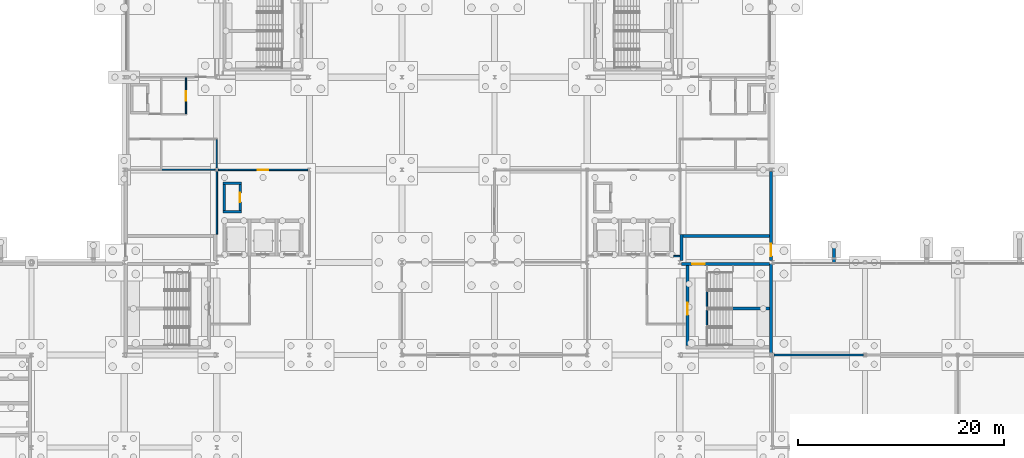
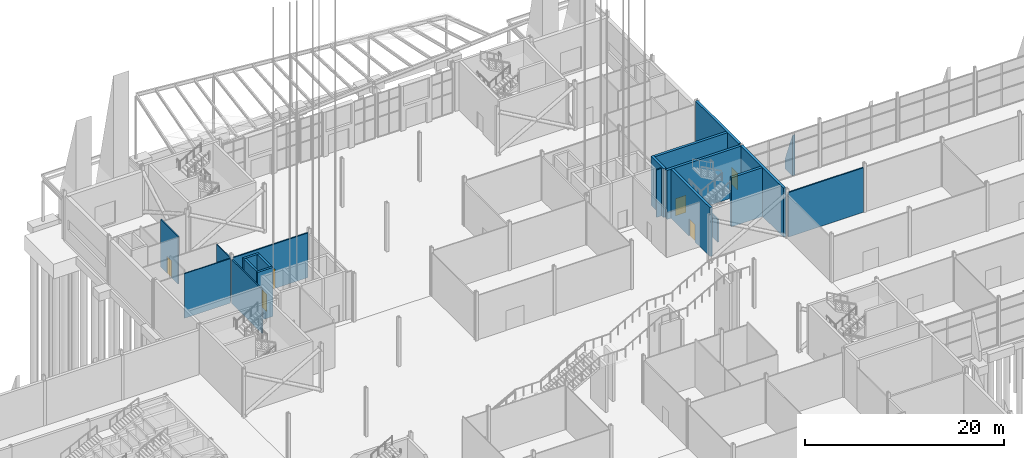
# One storey, part 109 of 139: 20 walls, 6 doors, 6 openings.
"""IFC4 building model written with IfcOpenShell, lengths in metres."""

import ifcopenshell
import ifcopenshell.guid

model = None  # the IFC model being written
_history = None  # IfcOwnerHistory: only IFC2X3 demands one
_inside = {}  # id of a spatial element -> (the spatial element, [elements in it])
_under = {}  # id of a project, library or spatial element -> (it, [spatial elements below it])
_declared = {}  # id of a project -> (the project, [libraries it declares])
_typed = {}  # id of a type object -> (the type object, [elements of that type])
_made_of = {}  # id of a material, layer set ... -> (it, [elements and type objects made of it])


def new_model(schema):
    """Start an empty IFC model of exactly this schema.

    Asked for "IFC4X3", IfcOpenShell would pick the latest addendum, in which some entities
    have other attributes; the version numbers below select the first issue.
    IFC2X3 requires an IfcOwnerHistory on every rooted entity: one is made here for all.
    """
    global model, _history
    if schema == "IFC4X3":
        model = ifcopenshell.file(schema_version=(4, 3, 0, 0))
    else:
        model = ifcopenshell.file(schema=schema)
    _inside.clear()
    _under.clear()
    _declared.clear()
    _typed.clear()
    _made_of.clear()
    _history = None
    if model.schema == "IFC2X3":
        org = make("IfcOrganization", Name="unknown")
        user = make(
            "IfcPersonAndOrganization",
            ThePerson=make("IfcPerson", FamilyName="unknown"),
            TheOrganization=org,
        )
        app = make(
            "IfcApplication",
            ApplicationDeveloper=org,
            Version="unknown",
            ApplicationFullName="unknown",
            ApplicationIdentifier="unknown",
        )
        _history = make(
            "IfcOwnerHistory",
            OwningUser=user,
            OwningApplication=app,
            ChangeAction="ADDED",
            CreationDate=0,
        )
    return model


def make(cls, **values):
    """One entity of the class cls with the attributes given. An attribute that is None is left unset."""
    return model.create_entity(
        cls, **{name: value for name, value in values.items() if value is not None}
    )


def rooted(cls, **values):
    """An entity with a GlobalId (a new one), such as an element, a storey or a relation."""
    return make(cls, GlobalId=ifcopenshell.guid.new(), OwnerHistory=_history, **values)


def si_unit(unit_type, name, prefix=None):
    """IfcSIUnit, for example si_unit("LENGTHUNIT", "METRE", prefix="MILLI")."""
    return make("IfcSIUnit", UnitType=unit_type, Prefix=prefix, Name=name)


def assignment(units):
    """IfcUnitAssignment: the units of a project."""
    return None if units is None else make("IfcUnitAssignment", Units=units)


def point(xyz):
    """IfcCartesianPoint."""
    return None if xyz is None else make("IfcCartesianPoint", Coordinates=xyz)


def direction(xyz):
    """IfcDirection."""
    return None if xyz is None else make("IfcDirection", DirectionRatios=xyz)


def frame(location, z_axis=None, x_axis=None):
    """IfcAxis2Placement3D, a coordinate frame: its origin and axes. An axis left out is left unset."""
    return make(
        "IfcAxis2Placement3D",
        Location=point(location),
        Axis=direction(z_axis),
        RefDirection=direction(x_axis),
    )


def frame_2d(location, x_axis=None):
    """IfcAxis2Placement2D, a coordinate frame in the plane: its origin and x axis."""
    return make(
        "IfcAxis2Placement2D", Location=point(location), RefDirection=direction(x_axis)
    )


def origin():
    """The frame at (0, 0, 0) with its axes left unset."""
    return frame((0.0, 0.0, 0.0))


def place(relative_to, where):
    """IfcLocalPlacement: puts the frame where relative to a parent placement (None: the world)."""
    return make(
        "IfcLocalPlacement", PlacementRelTo=relative_to, RelativePlacement=where
    )


def context(
    kind, dimensions, precision=None, world=None, true_north=None, identifier=None
):
    """IfcGeometricRepresentationContext, for example the 3D "Model" context."""
    return make(
        "IfcGeometricRepresentationContext",
        ContextIdentifier=identifier,
        ContextType=kind,
        CoordinateSpaceDimension=dimensions,
        Precision=precision,
        WorldCoordinateSystem=world,
        TrueNorth=true_north,
    )


def subcontext(parent, identifier, kind, view, scale=None):
    """IfcGeometricRepresentationSubContext, for example "Body" below "Model"."""
    return make(
        "IfcGeometricRepresentationSubContext",
        ContextIdentifier=identifier,
        ContextType=kind,
        ParentContext=parent,
        TargetScale=scale,
        TargetView=view,
    )


def project(units=None, contexts=None):
    """IfcProject with its units and contexts."""
    return rooted(
        "IfcProject",
        Name="project",
        RepresentationContexts=contexts,
        UnitsInContext=assignment(units),
    )


def spatial(cls, under=None, at=None, **own):
    """A site, building, storey or space (cls), placed at a placement, below another one or the project."""
    s = rooted(cls, ObjectPlacement=at, **own)
    if under is not None:
        _under.setdefault(under.id(), (under, []))[1].append(s)
    return s


def polyline(points):
    """IfcPolyline through the points."""
    return make("IfcPolyline", Points=[point(p) for p in points])


def profile(cls, at=None, kind="AREA", **sizes):
    """A parametric profile (cls). Its sizes go by their IFC names, for example OverallWidth=200.0."""
    return make(cls, ProfileType=kind, Position=at, **sizes)


def rectangle(**sizes):
    """IfcRectangleProfileDef."""
    return profile("IfcRectangleProfileDef", **sizes)


def outline(outer, holes=None, kind="AREA"):
    """IfcArbitraryClosedProfileDef: a profile drawn as a closed curve; with holes, ...WithVoids."""
    if holes is None:
        return make("IfcArbitraryClosedProfileDef", ProfileType=kind, OuterCurve=outer)
    return make(
        "IfcArbitraryProfileDefWithVoids",
        ProfileType=kind,
        OuterCurve=outer,
        InnerCurves=holes,
    )


def extrude(swept, where, along, depth):
    """IfcExtrudedAreaSolid: the profile swept, set in the frame where, extruded along a direction by depth."""
    return make(
        "IfcExtrudedAreaSolid",
        SweptArea=swept,
        Position=where,
        ExtrudedDirection=direction(along),
        Depth=depth,
    )


def shape(context_of_items, identifier, shape_type, items):
    """IfcShapeRepresentation: the items that make up one representation, for example the "Body"."""
    return make(
        "IfcShapeRepresentation",
        ContextOfItems=context_of_items,
        RepresentationIdentifier=identifier,
        RepresentationType=shape_type,
        Items=items,
    )


def material(Name=None, Category=None):
    """IfcMaterial."""
    return make("IfcMaterial", Name=Name, Category=Category)


def layer(
    of_material, thickness, ventilated=None, Name=None, Category=None, Priority=None
):
    """IfcMaterialLayer: one layer of a wall or slab, of a material (None: an air gap)."""
    return make(
        "IfcMaterialLayer",
        Material=of_material,
        LayerThickness=thickness,
        IsVentilated=ventilated,
        Name=Name,
        Category=Category,
        Priority=Priority,
    )


def layer_set(layers, Name=None):
    """IfcMaterialLayerSet."""
    return make("IfcMaterialLayerSet", MaterialLayers=layers, LayerSetName=Name)


def made_of(thing, what):
    """Note that an element or type object is made of a material, layer set ...; save() writes the relation."""
    if what is not None:
        _made_of.setdefault(what.id(), (what, []))[1].append(thing)
    return thing


def type_object(cls, material=None, **own):
    """A type object (cls), such as IfcWallType, which elements share."""
    return made_of(rooted(cls, **own), material)


def element(
    cls,
    number,
    at=None,
    inside=None,
    cuts=None,
    type_object=None,
    material=None,
    context=None,
    identifier="Body",
    shape_type=None,
    held_by="IfcProductDefinitionShape",
    body=None,
    shapes=None,
    **own,
):
    """One element of the class cls, such as IfcWall. Its Tag is "e" and its number.

    at: its placement. inside: the storey or other place that contains it. cuts: it is an
    opening in that element (IfcRelVoidsElement). A single representation is given by context,
    identifier, shape_type and body (its items); several are given by shapes. held_by: the class
    of the entity that holds the representations. save() writes the other relations.
    """
    e = rooted(cls, Tag="e%d" % number, ObjectPlacement=at, **own)
    if body is not None:
        shapes = [shape(context, identifier, shape_type, body)]
    if shapes is not None:
        e.Representation = make(held_by, Representations=shapes)
    if inside is not None:
        _inside.setdefault(inside.id(), (inside, []))[1].append(e)
    if cuts is not None:
        rooted(
            "IfcRelVoidsElement", RelatingBuildingElement=cuts, RelatedOpeningElement=e
        )
    if type_object is not None:
        _typed.setdefault(type_object.id(), (type_object, []))[1].append(e)
    return made_of(e, material)


def fill(opening, filler):
    """IfcRelFillsElement: the door or window that sits in an opening."""
    return rooted(
        "IfcRelFillsElement",
        RelatingOpeningElement=opening,
        RelatedBuildingElement=filler,
    )


def aggregate(whole, parts):
    """IfcRelAggregates: a whole, such as a stair, and the parts it consists of."""
    return rooted("IfcRelAggregates", RelatingObject=whole, RelatedObjects=parts)


def save(model, path):
    """Write the relations noted so far, then the file.

    IfcRelAggregates (storeys below a building ...), IfcRelContainedInSpatialStructure (elements
    in a storey), IfcRelDefinesByType, IfcRelAssociatesMaterial and IfcRelDeclares: one each for
    every whole, place, type object, material and project.
    """
    for whole, parts in _under.values():
        aggregate(whole, parts)
    for where, things in _inside.values():
        rooted(
            "IfcRelContainedInSpatialStructure",
            RelatedElements=things,
            RelatingStructure=where,
        )
    for kind, things in _typed.values():
        rooted("IfcRelDefinesByType", RelatedObjects=things, RelatingType=kind)
    for what, things in _made_of.values():
        rooted("IfcRelAssociatesMaterial", RelatedObjects=things, RelatingMaterial=what)
    for by, libraries in _declared.values():
        rooted("IfcRelDeclares", RelatingContext=by, RelatedDefinitions=libraries)
    model.write(path)


model = new_model("IFC4")

# Units and contexts
model_context = context("Model", 3, precision=1e-05, world=origin(), true_north=direction((0.0, 1.0)))
body_context = subcontext(model_context, "Body", "Model", "MODEL_VIEW")
ifc_project = project(units=[si_unit("LENGTHUNIT", "METRE"), si_unit("AREAUNIT", "SQUARE_METRE"), si_unit("VOLUMEUNIT", "CUBIC_METRE"), si_unit("PLANEANGLEUNIT", "RADIAN"), si_unit("MASSUNIT", "GRAM", prefix="KILO")], contexts=[model_context])

# Site, building, storey
site_placement = place(None, origin())
site = spatial("IfcSite", under=ifc_project, at=site_placement, CompositionType="ELEMENT")
building_placement = place(site_placement, origin())
building = spatial("IfcBuilding", under=site, at=building_placement, Name="Shorebreak Coast Museum", CompositionType="ELEMENT")
storey_placement = place(building_placement, origin())
storey = spatial("IfcBuildingStorey", under=building, at=storey_placement, Name="L00", CompositionType="ELEMENT", Elevation=0.0)

# Walls
ifc_material_1 = material(Name="Plasterboard on steel stud", Category="steel")
ifc_layer_1 = layer(ifc_material_1, 0.14990234375)
ifc_layer_set_1 = layer_set([ifc_layer_1], Name="Plasterboard on steel stud")
wall_type_1 = type_object("IfcWallType", Name="Fire partition 150", PredefinedType="PARTITIONING", material=ifc_layer_set_1)
wall_1_placement = place(storey_placement, frame((117.154541015625, 81.0, 0.0), z_axis=(0.0, 0.0, 1.0), x_axis=(1.0, 0.0, 0.0)))
element("IfcWall", 1, at=wall_1_placement, inside=storey, type_object=wall_type_1, Name="Partition L00-059", PredefinedType="PARTITIONING", context=body_context, shape_type="SweptSolid", body=[
    extrude(rectangle(XDim=8.69091796875, YDim=0.14990234375, at=frame_2d((4.345458984375, 0.0))), origin(), (0.0, 0.0, 1.0), 5.469482421875),
])
wall_2_placement = place(storey_placement, frame((107.39990234375, 90.60009765625, 0.0), z_axis=(0.0, 0.0, 1.0), x_axis=(1.0, 0.0, 0.0)))
element("IfcWall", 2, at=wall_2_placement, inside=storey, type_object=wall_type_1, Name="Partition L00-070", PredefinedType="PARTITIONING", context=body_context, shape_type="SweptSolid", body=[
    extrude(rectangle(XDim=0.60009765625, YDim=0.14990234375, at=frame_2d((0.300048828125, 0.0))), origin(), (0.0, 0.0, 1.0), 5.824951171875),
])

# Wall, opening, door
wall_3_placement = place(storey_placement, frame((63.154541015625, 99.0, 0.0), z_axis=(0.0, 0.0, 1.0), x_axis=(1.0, 0.0, 0.0)))
wall_3 = element("IfcWall", 3, at=wall_3_placement, inside=storey, type_object=wall_type_1, Name="Partition L00-073", PredefinedType="PARTITIONING", context=body_context, shape_type="SweptSolid", body=[
    extrude(rectangle(XDim=8.69091796875, YDim=0.14990234375, at=frame_2d((4.345458984375, 0.0))), origin(), (0.0, 0.0, 1.0), 5.46630859375),
])
opening_1_placement = place(wall_3_placement, frame((3.85009765625, 0.0, 0.0)))
opening_1 = element("IfcOpeningElement", 4, at=opening_1_placement, cuts=wall_3, Name="Opening D0046", PredefinedType="OPENING", context=body_context, shape_type="SweptSolid", body=[
    extrude(rectangle(XDim=1.0, YDim=2.39990234375, at=frame_2d((0.5, 1.199951171875))), frame((0.0, 0.0849609375, 0.0), z_axis=(0.0, -1.0, 0.0), x_axis=(1.0, 0.0, 0.0)), (0.0, 0.0, 1.0), 0.169921875),
])
ifc_material_2 = material(Name="Steel", Category="steel")
door_type_1 = type_object("IfcDoorType", Name="Fire door 1000x2400 60", OperationType="SINGLE_SWING_LEFT", PredefinedType="DOOR", material=ifc_material_2)
door_1_placement = place(opening_1_placement, origin())
door_1 = element("IfcDoor", 5, at=door_1_placement, inside=storey, type_object=door_type_1, Name="Door D0046 Lift Services Room W", OperationType="SINGLE_SWING_RIGHT", OverallHeight=2.39990234375, OverallWidth=1.0, PredefinedType="DOOR", context=body_context, shape_type="SweptSolid", body=[
    extrude(rectangle(XDim=1.0, YDim=2.39990234375, at=frame_2d((0.5, 1.199951171875))), frame((0.0, 0.02490234375, 0.0), z_axis=(0.0, -1.0, 0.0), x_axis=(1.0, 0.0, 0.0)), (0.0, 0.0, 1.0), 0.050048828125),
])
fill(opening_1, door_1)

# Walls
wall_4_placement = place(storey_placement, frame((63.0, 92.75, 0.0), z_axis=(0.0, 0.0, 1.0), x_axis=(0.0, 1.0, 0.0)))
element("IfcWall", 6, at=wall_4_placement, inside=storey, type_object=wall_type_1, Name="Partition L00-105", PredefinedType="PARTITIONING", context=body_context, shape_type="SweptSolid", body=[
    extrude(rectangle(XDim=6.089599609375, YDim=0.14990234375, at=frame_2d((3.044921875, 0.0))), origin(), (0.0, 0.0, 1.0), 5.364501953125),
])
ifc_material_3 = material(Name="Plasterboard on steel stud", Category="steel")
ifc_layer_2 = layer(ifc_material_3, 0.125)
ifc_layer_set_2 = layer_set([ifc_layer_2], Name="Plasterboard on steel stud")
wall_type_2 = type_object("IfcWallType", Name="Partition 125", PredefinedType="PARTITIONING", material=ifc_layer_set_2)
wall_5_placement = place(storey_placement, frame((57.5380859375, 99.0, 0.0), z_axis=(0.0, 0.0, 1.0), x_axis=(1.0, 0.0, 0.0)))
element("IfcWall", 7, at=wall_5_placement, inside=storey, type_object=wall_type_2, Name="Partition L00-072", PredefinedType="PARTITIONING", context=body_context, shape_type="SweptSolid", body=[
    extrude(rectangle(XDim=5.307373046875, YDim=0.125, at=frame_2d((2.65380859375, 0.0))), origin(), (0.0, 0.0, 1.0), 5.46630859375),
])

# Wall, opening, door
wall_6_placement = place(storey_placement, frame((60.0, 104.46240234375, 0.0), z_axis=(0.0, 0.0, 1.0), x_axis=(0.0, 1.0, 0.0)))
wall_6 = element("IfcWall", 8, at=wall_6_placement, inside=storey, type_object=wall_type_2, Name="Partition L00-097", PredefinedType="PARTITIONING", context=body_context, shape_type="SweptSolid", body=[
    extrude(rectangle(XDim=3.47509765625, YDim=0.125, at=frame_2d((1.737548828125, 0.0))), origin(), (0.0, 0.0, 1.0), 5.824951171875),
])
opening_2_placement = place(wall_6_placement, frame((1.25, 0.0, 0.0)))
opening_2 = element("IfcOpeningElement", 9, at=opening_2_placement, cuts=wall_6, Name="Opening D0049", PredefinedType="OPENING", context=body_context, shape_type="SweptSolid", body=[
    extrude(rectangle(XDim=0.89990234375, YDim=2.10009765625, at=frame_2d((0.449951171875, 1.050048828125))), frame((0.0, 0.072509765625, 0.0), z_axis=(0.0, -1.0, 0.0), x_axis=(1.0, 0.0, 0.0)), (0.0, 0.0, 1.0), 0.14501953125),
])
ifc_material_4 = material(Name="Timber", Category="wood")
door_type_2 = type_object("IfcDoorType", Name="Interior door 900x2100", OperationType="SINGLE_SWING_LEFT", PredefinedType="DOOR", material=ifc_material_4)
door_2_placement = place(opening_2_placement, origin())
door_2 = element("IfcDoor", 10, at=door_2_placement, inside=storey, type_object=door_type_2, Name="Door D0049 Female WC N1", OperationType="SINGLE_SWING_RIGHT", OverallHeight=2.10009765625, OverallWidth=0.89990234375, PredefinedType="DOOR", context=body_context, shape_type="SweptSolid", body=[
    extrude(rectangle(XDim=0.89990234375, YDim=2.10009765625, at=frame_2d((0.449951171875, 1.050048828125))), frame((0.0, 0.02490234375, 0.0), z_axis=(0.0, -1.0, 0.0), x_axis=(1.0, 0.0, 0.0)), (0.0, 0.0, 1.0), 0.050048828125),
])
fill(opening_2, door_2)

# Walls
wall_7_placement = place(storey_placement, frame((63.0, 99.160400390625, 0.0), z_axis=(0.0, 0.0, 1.0), x_axis=(0.0, 1.0, 0.0)))
element("IfcWall", 11, at=wall_7_placement, inside=storey, type_object=wall_type_2, Name="Partition L00-106", PredefinedType="PARTITIONING", context=body_context, shape_type="SweptSolid", body=[
    extrude(rectangle(XDim=2.777099609375, YDim=0.125, at=frame_2d((1.388671875, 0.0))), origin(), (0.0, 0.0, 1.0), 5.364501953125),
])
ifc_material_5 = material(Name="Concrete N50 (50 MPa)", Category="concrete")
ifc_layer_3 = layer(ifc_material_5, 0.25)
ifc_layer_set_3 = layer_set([ifc_layer_3], Name="Concrete N50 (50 MPa)")
wall_type_3 = type_object("IfcWallType", Name="RC riser wall 250", PredefinedType="STANDARD", material=ifc_layer_set_3)
for number, where, z_axis, x_axis, name in (
    (12, (63.60009765625, 94.925048828125, 0.0), (0.0, 0.0, 1.0), (1.0, 0.0, 0.0), "Riser wall R-LBW L00 S"),
    (13, (63.60009765625, 97.675048828125, 0.0), (0.0, 0.0, 1.0), (1.0, 0.0, 0.0), "Riser wall R-LBW L00 N"),
):
    element("IfcWall", number, at=place(storey_placement, frame(where, z_axis=z_axis, x_axis=x_axis)), inside=storey, type_object=wall_type_3, Name=name, PredefinedType="STANDARD", context=body_context, shape_type="SweptSolid", body=[
        extrude(rectangle(XDim=1.7998046875, YDim=0.25, at=frame_2d((0.89990234375, 0.0))), origin(), (0.0, 0.0, 1.0), 6.0),
    ])
wall_8_placement = place(storey_placement, frame((63.72509765625, 95.050048828125, 0.0), z_axis=(0.0, 0.0, 1.0), x_axis=(0.0, 1.0, 0.0)))
element("IfcWall", 14, at=wall_8_placement, inside=storey, type_object=wall_type_3, Name="Riser wall R-LBW L00 W", PredefinedType="STANDARD", context=body_context, shape_type="SweptSolid", body=[
    extrude(rectangle(XDim=2.5, YDim=0.25, at=frame_2d((1.25, 0.0))), origin(), (0.0, 0.0, 1.0), 6.0),
])

# Wall, opening, door
wall_9_placement = place(storey_placement, frame((65.27490234375, 95.050048828125, 0.0), z_axis=(0.0, 0.0, 1.0), x_axis=(0.0, 1.0, 0.0)))
wall_9 = element("IfcWall", 15, at=wall_9_placement, inside=storey, type_object=wall_type_3, Name="Riser wall R-LBW L00 E", PredefinedType="STANDARD", context=body_context, shape_type="SweptSolid", body=[
    extrude(rectangle(XDim=2.5, YDim=0.25, at=frame_2d((1.25, 0.0))), origin(), (0.0, 0.0, 1.0), 6.0),
])
opening_3_placement = place(wall_9_placement, frame((0.800048828125, 0.0, 0.0)))
opening_3 = element("IfcOpeningElement", 16, at=opening_3_placement, cuts=wall_9, Name="Opening D0606", PredefinedType="OPENING", context=body_context, shape_type="SweptSolid", body=[
    extrude(rectangle(XDim=0.89990234375, YDim=2.10009765625, at=frame_2d((0.449951171875, 1.050048828125))), frame((0.0, 0.135009765625, 0.0), z_axis=(0.0, -1.0, 0.0), x_axis=(1.0, 0.0, 0.0)), (0.0, 0.0, 1.0), 0.27001953125),
])
ifc_material_6 = material(Name="Steel Grade 300", Category="steel")
door_type_3 = type_object("IfcDoorType", Name="Riser door 900x2100", OperationType="SINGLE_SWING_LEFT", PredefinedType="DOOR", material=ifc_material_6)
door_3_placement = place(opening_3_placement, origin())
door_3 = element("IfcDoor", 17, at=door_3_placement, inside=storey, type_object=door_type_3, Name="Riser door R-LBW L00", OperationType="SINGLE_SWING_LEFT", OverallHeight=2.10009765625, OverallWidth=0.89990234375, PredefinedType="DOOR", context=body_context, shape_type="SweptSolid", body=[
    extrude(rectangle(XDim=0.89990234375, YDim=2.10009765625, at=frame_2d((0.449951171875, 1.050048828125))), frame((0.0, 0.02490234375, 0.0), z_axis=(0.0, -1.0, 0.0), x_axis=(1.0, 0.0, 0.0)), (0.0, 0.0, 1.0), 0.050048828125),
])
fill(opening_3, door_3)

ifc_material_7 = material(Name="Concrete N50 (50 MPa)", Category="concrete")
ifc_layer_4 = layer(ifc_material_7, 0.300048828125)
ifc_layer_set_4 = layer_set([ifc_layer_4], Name="Concrete N50 (50 MPa)")
wall_type_4 = type_object("IfcWallType", Name="RC wall 300", PredefinedType="SHEAR", material=ifc_layer_set_4)
wall_10_placement = place(storey_placement, frame((108.155517578125, 89.85009765625, 0.0), z_axis=(0.0, 0.0, 1.0), x_axis=(1.0, 0.0, 0.0)))
wall_10 = element("IfcWall", 18, at=wall_10_placement, inside=storey, type_object=wall_type_4, Name="Stair core wall ST04 L00 N", PredefinedType="SHEAR", context=body_context, shape_type="SweptSolid", body=[
    extrude(rectangle(XDim=8.54443359375, YDim=0.300048828125, at=frame_2d((4.272216796875, 0.0))), origin(), (0.0, 0.0, 1.0), 6.0),
])
opening_4_placement = place(wall_10_placement, frame((1.04443359375, 0.0, 0.0)))
opening_4 = element("IfcOpeningElement", 19, at=opening_4_placement, cuts=wall_10, Name="Opening D0554", PredefinedType="OPENING", context=body_context, shape_type="SweptSolid", body=[
    extrude(rectangle(XDim=1.199951171875, YDim=2.10009765625, at=frame_2d((0.60009765625, 1.050048828125))), frame((0.0, 0.159912109375, 0.0), z_axis=(0.0, -1.0, 0.0), x_axis=(1.0, 0.0, 0.0)), (0.0, 0.0, 1.0), 0.320068359375),
])
ifc_material_8 = material(Name="Steel Grade 300", Category="steel")
door_type_4 = type_object("IfcDoorType", Name="Fire door 1200x2100", OperationType="SINGLE_SWING_LEFT", PredefinedType="DOOR", material=ifc_material_8)
door_4_placement = place(opening_4_placement, origin())
door_4 = element("IfcDoor", 20, at=door_4_placement, inside=storey, type_object=door_type_4, Name="Passage door ST04", OperationType="SINGLE_SWING_RIGHT", OverallHeight=2.10009765625, OverallWidth=1.199951171875, PredefinedType="DOOR", context=body_context, shape_type="SweptSolid", body=[
    extrude(rectangle(XDim=1.199951171875, YDim=2.10009765625, at=frame_2d((0.60009765625, 1.050048828125))), frame((0.0, 0.02490234375, 0.0), z_axis=(0.0, -1.0, 0.0), x_axis=(1.0, 0.0, 0.0)), (0.0, 0.0, 1.0), 0.050048828125),
])
fill(opening_4, door_4)

wall_11_placement = place(storey_placement, frame((108.75, 81.89990234375, 0.0), z_axis=(0.0, 0.0, 1.0), x_axis=(0.0, 1.0, 0.0)))
wall_11 = element("IfcWall", 21, at=wall_11_placement, inside=storey, type_object=wall_type_4, Name="Stair core wall ST04 L00 W", PredefinedType="SHEAR", context=body_context, shape_type="SweptSolid", body=[
    extrude(rectangle(XDim=7.800048828125, YDim=0.300048828125, at=frame_2d((3.89990234375, 0.0))), origin(), (0.0, 0.0, 1.0), 6.0),
])
opening_5_placement = place(wall_11_placement, frame((3.0, 0.0, 0.0)))
opening_5 = element("IfcOpeningElement", 22, at=opening_5_placement, cuts=wall_11, Name="Opening D0804", PredefinedType="OPENING", context=body_context, shape_type="SweptSolid", body=[
    extrude(rectangle(XDim=1.199951171875, YDim=2.10009765625, at=frame_2d((0.60009765625, 1.050048828125))), frame((0.0, 0.159912109375, 0.0), z_axis=(0.0, -1.0, 0.0), x_axis=(1.0, 0.0, 0.0)), (0.0, 0.0, 1.0), 0.320068359375),
])
door_5_placement = place(opening_5_placement, origin())
door_5 = element("IfcDoor", 23, at=door_5_placement, inside=storey, type_object=door_type_4, Name="Stair door ST04 L00", OperationType="SINGLE_SWING_LEFT", OverallHeight=2.10009765625, OverallWidth=1.199951171875, PredefinedType="DOOR", context=body_context, shape_type="SweptSolid", body=[
    extrude(rectangle(XDim=1.199951171875, YDim=2.10009765625, at=frame_2d((0.60009765625, 1.050048828125))), frame((0.0, 0.02490234375, 0.0), z_axis=(0.0, -1.0, 0.0), x_axis=(1.0, 0.0, 0.0)), (0.0, 0.0, 1.0), 0.050048828125),
])
fill(opening_5, door_5)

# Wall
wall_12_placement = place(storey_placement, frame((116.85009765625, 81.160400390625, 0.0), z_axis=(0.0, 0.0, 1.0), x_axis=(0.0, 1.0, 0.0)))
element("IfcWall", 24, at=wall_12_placement, inside=storey, type_object=wall_type_4, Name="Stair core wall ST04 L00 E", PredefinedType="SHEAR", context=body_context, shape_type="SweptSolid", body=[
    extrude(rectangle(XDim=8.676025390625, YDim=0.300048828125, at=frame_2d((4.337890625, 0.0))), origin(), (0.0, 0.0, 1.0), 6.0),
])

# Wall, opening, door
wall_13_placement = place(storey_placement, frame((116.85009765625, 90.16357421875, 0.0), z_axis=(0.0, 0.0, 1.0), x_axis=(0.0, 1.0, 0.0)))
wall_13 = element("IfcWall", 25, at=wall_13_placement, inside=storey, type_object=wall_type_4, Name="Exit passage wall PX4 exit", PredefinedType="SHEAR", context=body_context, shape_type="SweptSolid", body=[
    extrude(rectangle(XDim=8.676025390625, YDim=0.300048828125, at=frame_2d((4.337890625, 0.0))), origin(), (0.0, 0.0, 1.0), 6.0),
])
opening_6_placement = place(wall_13_placement, frame((0.436279296875, 0.0, 0.0)))
opening_6 = element("IfcOpeningElement", 26, at=opening_6_placement, cuts=wall_13, Name="Opening D0564", PredefinedType="OPENING", context=body_context, shape_type="SweptSolid", body=[
    extrude(rectangle(XDim=1.199951171875, YDim=2.10009765625, at=frame_2d((0.60009765625, 1.050048828125))), frame((0.0, 0.159912109375, 0.0), z_axis=(0.0, -1.0, 0.0), x_axis=(1.0, 0.0, 0.0)), (0.0, 0.0, 1.0), 0.320068359375),
])
ifc_material_9 = material(Name="Steel Grade 300", Category="steel")
door_type_5 = type_object("IfcDoorType", Name="Exit door 1200x2100", OperationType="SINGLE_SWING_LEFT", PredefinedType="DOOR", material=ifc_material_9)
door_6_placement = place(opening_6_placement, frame((1.199951171875, 0.0, 0.0), z_axis=(0.0, 0.0, 1.0), x_axis=(-1.0, 0.0, 0.0)))
door_6 = element("IfcDoor", 27, at=door_6_placement, inside=storey, type_object=door_type_5, Name="Exit door PX4", OperationType="SINGLE_SWING_RIGHT", OverallHeight=2.10009765625, OverallWidth=1.199951171875, PredefinedType="DOOR", context=body_context, shape_type="SweptSolid", body=[
    extrude(rectangle(XDim=1.199951171875, YDim=2.10009765625, at=frame_2d((0.60009765625, 1.050048828125))), frame((0.0, 0.02490234375, 0.0), z_axis=(0.0, -1.0, 0.0), x_axis=(1.0, 0.0, 0.0)), (0.0, 0.0, 1.0), 0.050048828125),
])
fill(opening_6, door_6)

# Walls
wall_14_placement = place(storey_placement, frame((108.300048828125, 92.550048828125, 0.0), z_axis=(0.0, 0.0, 1.0), x_axis=(1.0, 0.0, 0.0)))
element("IfcWall", 28, at=wall_14_placement, inside=storey, type_object=wall_type_4, Name="Exit passage wall PX4 far", PredefinedType="SHEAR", context=body_context, shape_type="SweptSolid", body=[
    extrude(rectangle(XDim=8.39990234375, YDim=0.300048828125, at=frame_2d((4.199951171875, 0.0))), origin(), (0.0, 0.0, 1.0), 6.0),
])
wall_15_placement = place(storey_placement, frame((108.14990234375, 90.16357421875, 0.0), z_axis=(0.0, 0.0, 1.0), x_axis=(0.0, 1.0, 0.0)))
element("IfcWall", 29, at=wall_15_placement, inside=storey, type_object=wall_type_4, Name="Exit passage wall PX4 side", PredefinedType="SHEAR", context=body_context, shape_type="SweptSolid", body=[
    extrude(rectangle(XDim=2.536376953125, YDim=0.300048828125, at=frame_2d((1.26806640625, 0.0))), origin(), (0.0, 0.0, 1.0), 6.0),
])
wall_16_placement = place(storey_placement, frame((113.10009765625, 85.5, 0.0), z_axis=(0.0, 0.0, 1.0), x_axis=(1.0, 0.0, 0.0)))
element("IfcWall", 30, at=wall_16_placement, inside=storey, type_object=wall_type_4, Name="Stair spine wall ST04 L00", PredefinedType="SHEAR", context=body_context, shape_type="SweptSolid", body=[
    extrude(rectangle(XDim=3.599853515625, YDim=0.300048828125, at=frame_2d((1.7998046875, 0.0))), origin(), (0.0, 0.0, 1.0), 6.0),
])
ifc_material_10 = material(Name="Concrete N50 (50 MPa)", Category="concrete")
ifc_layer_5 = layer(ifc_material_10, 0.300048828125)
ifc_layer_set_5 = layer_set([ifc_layer_5], Name="Concrete N50 (50 MPa)")
wall_type_5 = type_object("IfcWallType", Name="Raked fin 300", PredefinedType="SOLIDWALL", material=ifc_layer_set_5)
wall_17_placement = place(storey_placement, frame((123.0, 90.0, 0.0), z_axis=(0.0, 0.0, 1.0), x_axis=(0.0, 1.0, 0.0)))
element("IfcWall", 31, at=wall_17_placement, inside=storey, type_object=wall_type_5, Name="Raked fin EN23", PredefinedType="SOLIDWALL", context=body_context, shape_type="SweptSolid", body=[
    extrude(outline(polyline([(0.0, 0.0), (1.5, 0.0), (1.5, 1.199951171875), (0.0, 5.0), (0.0, 0.0)])), frame((0.0, 0.14990234375, 0.0), z_axis=(0.0, -1.0, 0.0), x_axis=(1.0, 0.0, 0.0)), (0.0, 0.0, 1.0), 0.300048828125),
])
ifc_material_11 = material(Name="Concrete N50 (50 MPa)", Category="concrete")
ifc_layer_6 = layer(ifc_material_11, 0.14990234375)
ifc_layer_set_6 = layer_set([ifc_layer_6], Name="Concrete N50 (50 MPa)")
wall_type_6 = type_object("IfcWallType", Name="Understair wall 150", PredefinedType="STANDARD", material=ifc_layer_set_6)
wall_18_placement = place(storey_placement, frame((110.625, 83.699951171875, 0.0), z_axis=(0.0, 0.0, 1.0), x_axis=(0.0, 1.0, 0.0)))
element("IfcWall", 32, at=wall_18_placement, inside=storey, type_object=wall_type_6, Name="Understair wall ST04 L00 floor", PredefinedType="STANDARD", context=body_context, shape_type="SweptSolid", body=[
    extrude(rectangle(XDim=5.400146484375, YDim=0.14990234375, at=frame_2d((2.7001953125, 0.0))), origin(), (0.0, 0.0, 1.0), 2.800048828125),
])

save(model, "model.ifc")
